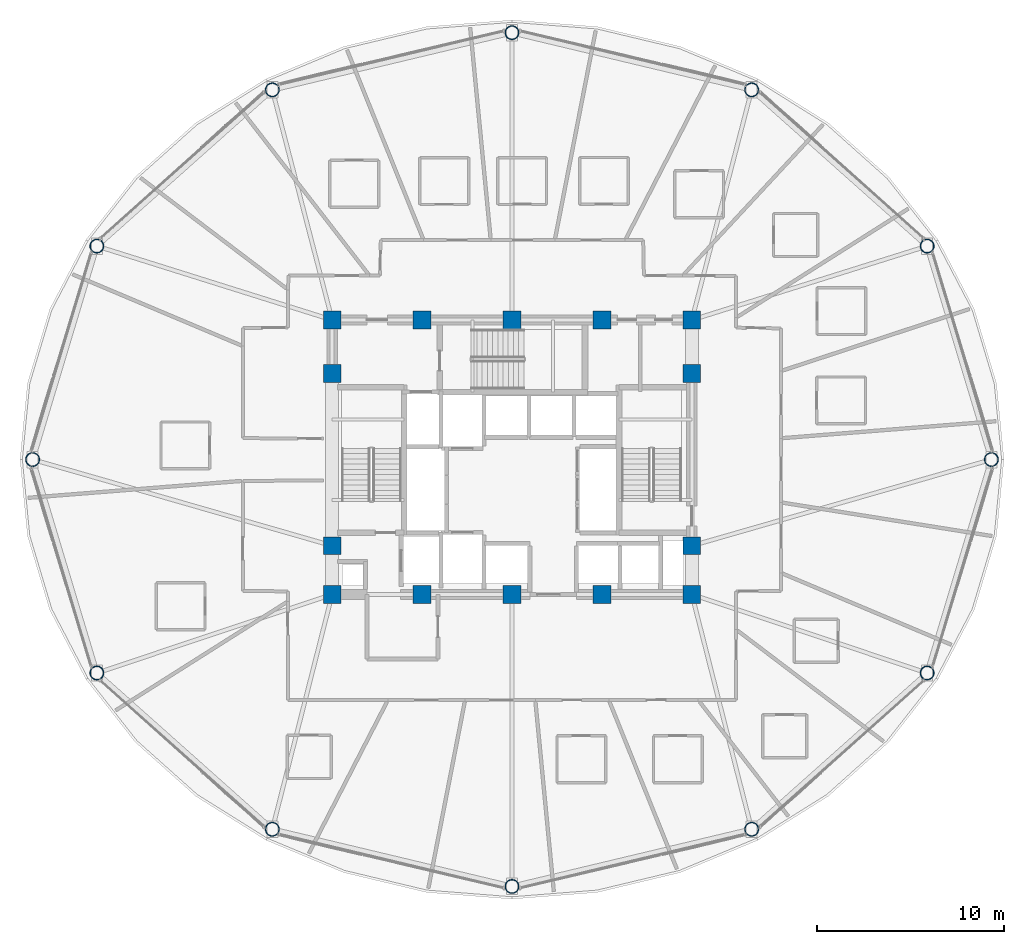
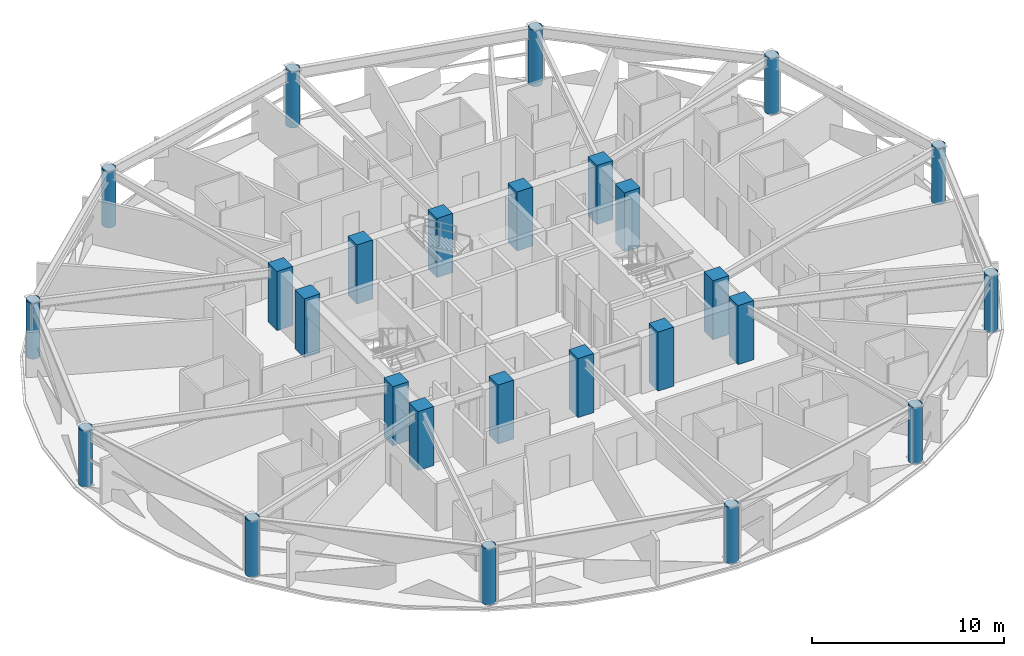
# One storey, part 1 of 32: 26 columns.
"""IFC4 building model written with IfcOpenShell, lengths in metres."""

from ifc_helpers import new_model, si_unit, direction, frame, origin, origin_2d, place, context, subcontext, project, spatial, rectangle, hollow_circle, extrude, material, material_profile, profile_set, type_object, element, save


model = new_model("IFC4")

# Units and contexts
model_context = context("Model", 3, precision=1e-05, world=origin(), true_north=direction((0.0, 1.0)))
body_context = subcontext(model_context, "Body", "Model", "MODEL_VIEW")
ifc_project = project(units=[si_unit("LENGTHUNIT", "METRE"), si_unit("AREAUNIT", "SQUARE_METRE"), si_unit("VOLUMEUNIT", "CUBIC_METRE"), si_unit("PLANEANGLEUNIT", "RADIAN"), si_unit("MASSUNIT", "GRAM", prefix="KILO")], contexts=[model_context])

# Site, building, storey
site_placement = place(None, origin())
site = spatial("IfcSite", under=ifc_project, at=site_placement, CompositionType="ELEMENT")
building_placement = place(site_placement, origin())
building = spatial("IfcBuilding", under=site, at=building_placement, Name="Vantalir Tower", CompositionType="ELEMENT")
storey_placement = place(building_placement, frame((0.0, 0.0, 100.949951171875)))
storey = spatial("IfcBuildingStorey", under=building, at=storey_placement, Name="L24", CompositionType="ELEMENT", Elevation=100.949951171875)

# Columns
ifc_material_1 = material(Name="Concrete C60/75", Category="concrete")
ifc_material_profile_1 = material_profile(ifc_material_1, rectangle(XDim=0.949951171875, YDim=0.949951171875, at=origin_2d()), Name="Concrete C60/75")
ifc_profile_set_1 = profile_set([ifc_material_profile_1], Name="Concrete C60/75")
column_type_1 = type_object("IfcColumnType", Name="COL-CC-950", PredefinedType="COLUMN", material=ifc_profile_set_1)
for number, where, z_axis, x_axis, name in (
    (1, (21.89990234375, 17.800048828125, 0.0), (0.0, 0.0, 1.0), (1.0, 0.0, 0.0), "L24 Core Column CC01"),
    (2, (26.699951171875, 17.800048828125, 0.0), (0.0, 0.0, 1.0), (1.0, 0.0, 0.0), "L24 Core Column CC02"),
    (3, (31.5, 17.800048828125, 0.0), (0.0, 0.0, 1.0), (1.0, 0.0, 0.0), "L24 Core Column CC03"),
    (4, (36.300048828125, 17.800048828125, 0.0), (0.0, 0.0, 1.0), (1.0, 0.0, 0.0), "L24 Core Column CC04"),
    (5, (41.10009765625, 17.800048828125, 0.0), (0.0, 0.0, 1.0), (1.0, 0.0, 0.0), "L24 Core Column CC05"),
    (6, (21.89990234375, 20.39990234375, 0.0), (0.0, 0.0, 1.0), (1.0, 0.0, 0.0), "L24 Core Column CC06"),
    (7, (21.89990234375, 29.60009765625, 0.0), (0.0, 0.0, 1.0), (1.0, 0.0, 0.0), "L24 Core Column CC07"),
    (8, (41.10009765625, 20.39990234375, 0.0), (0.0, 0.0, 1.0), (1.0, 0.0, 0.0), "L24 Core Column CC08"),
    (9, (41.10009765625, 29.60009765625, 0.0), (0.0, 0.0, 1.0), (1.0, 0.0, 0.0), "L24 Core Column CC09"),
    (10, (21.89990234375, 32.449951171875, 0.0), (0.0, 0.0, 1.0), (1.0, 0.0, 0.0), "L24 Core Column CC10"),
    (11, (26.699951171875, 32.449951171875, 0.0), (0.0, 0.0, 1.0), (1.0, 0.0, 0.0), "L24 Core Column CC11"),
    (12, (31.5, 32.449951171875, 0.0), (0.0, 0.0, 1.0), (1.0, 0.0, 0.0), "L24 Core Column CC12"),
    (13, (36.300048828125, 32.449951171875, 0.0), (0.0, 0.0, 1.0), (1.0, 0.0, 0.0), "L24 Core Column CC13"),
    (14, (41.10009765625, 32.449951171875, 0.0), (0.0, 0.0, 1.0), (1.0, 0.0, 0.0), "L24 Core Column CC14"),
):
    element("IfcColumn", number, at=place(storey_placement, frame(where, z_axis=z_axis, x_axis=x_axis)), inside=storey, type_object=column_type_1, Name=name, PredefinedType="COLUMN", context=body_context, shape_type="SweptSolid", body=[
        extrude(rectangle(XDim=0.949951171875, YDim=0.949951171875, at=origin_2d()), origin(), (0.0, 0.0, 1.0), 3.75),
    ])
ifc_material_2 = material(Name="Steel S460", Category="steel")
ifc_material_profile_2 = material_profile(ifc_material_2, hollow_circle(Radius=0.375, WallThickness=0.034912109375, at=origin_2d()), Name="Steel S460")
ifc_profile_set_2 = profile_set([ifc_material_profile_2], Name="Steel S460")
column_type_2 = type_object("IfcColumnType", Name="COL-RC-750", PredefinedType="COLUMN", material=ifc_profile_set_2)
for number, where, z_axis, x_axis, name in (
    (15, (57.087890625, 25.0, 0.0), (0.0, 0.0, 1.0), (1.0, 0.0, 0.0), "L24 Perimeter Ring Column RC01"),
    (16, (53.659912109375, 36.39404296875, 0.0), (0.0, 0.0, 1.0), (1.0, 0.0, 0.0), "L24 Perimeter Ring Column RC02"),
    (17, (44.2939453125, 44.735107421875, 0.0), (0.0, 0.0, 1.0), (1.0, 0.0, 0.0), "L24 Perimeter Ring Column RC03"),
    (18, (31.5, 47.7880859375, 0.0), (0.0, 0.0, 1.0), (1.0, 0.0, 0.0), "L24 Perimeter Ring Column RC04"),
    (19, (18.7060546875, 44.735107421875, 0.0), (0.0, 0.0, 1.0), (1.0, 0.0, 0.0), "L24 Perimeter Ring Column RC05"),
    (20, (9.340087890625, 36.39404296875, 0.0), (0.0, 0.0, 1.0), (1.0, 0.0, 0.0), "L24 Perimeter Ring Column RC06"),
    (21, (5.912109375, 25.0, 0.0), (0.0, 0.0, 1.0), (1.0, 0.0, 0.0), "L24 Perimeter Ring Column RC07"),
    (22, (9.340087890625, 13.60595703125, 0.0), (0.0, 0.0, 1.0), (1.0, 0.0, 0.0), "L24 Perimeter Ring Column RC08"),
    (23, (18.7060546875, 5.264892578125, 0.0), (0.0, 0.0, 1.0), (1.0, 0.0, 0.0), "L24 Perimeter Ring Column RC09"),
    (24, (31.5, 2.2119140625, 0.0), (0.0, 0.0, 1.0), (1.0, 0.0, 0.0), "L24 Perimeter Ring Column RC10"),
    (25, (44.2939453125, 5.264892578125, 0.0), (0.0, 0.0, 1.0), (1.0, 0.0, 0.0), "L24 Perimeter Ring Column RC11"),
    (26, (53.659912109375, 13.60595703125, 0.0), (0.0, 0.0, 1.0), (1.0, 0.0, 0.0), "L24 Perimeter Ring Column RC12"),
):
    element("IfcColumn", number, at=place(storey_placement, frame(where, z_axis=z_axis, x_axis=x_axis)), inside=storey, type_object=column_type_2, Name=name, PredefinedType="COLUMN", context=body_context, shape_type="SweptSolid", body=[
        extrude(hollow_circle(Radius=0.375, WallThickness=0.034912109375, at=origin_2d()), origin(), (0.0, 0.0, 1.0), 3.570068359375),
    ])

save(model, "model.ifc")
